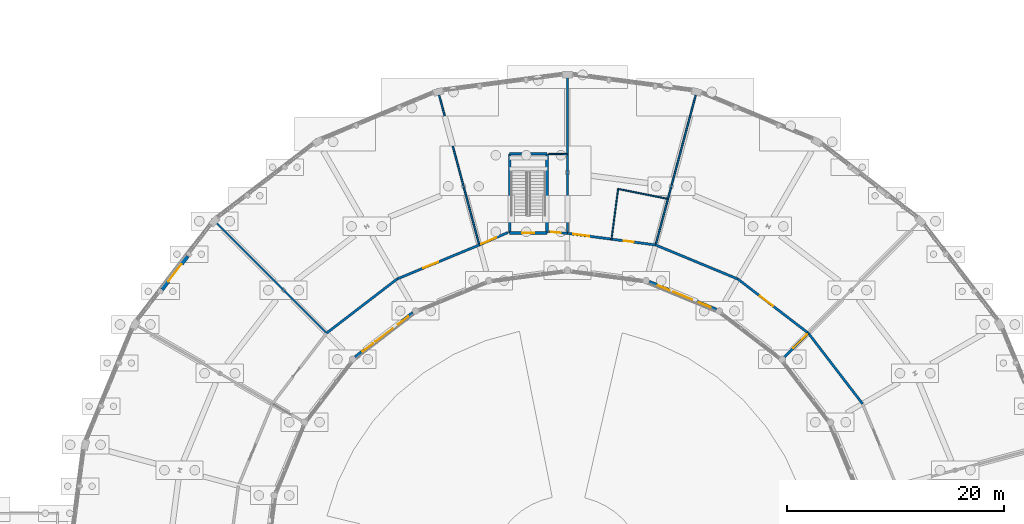
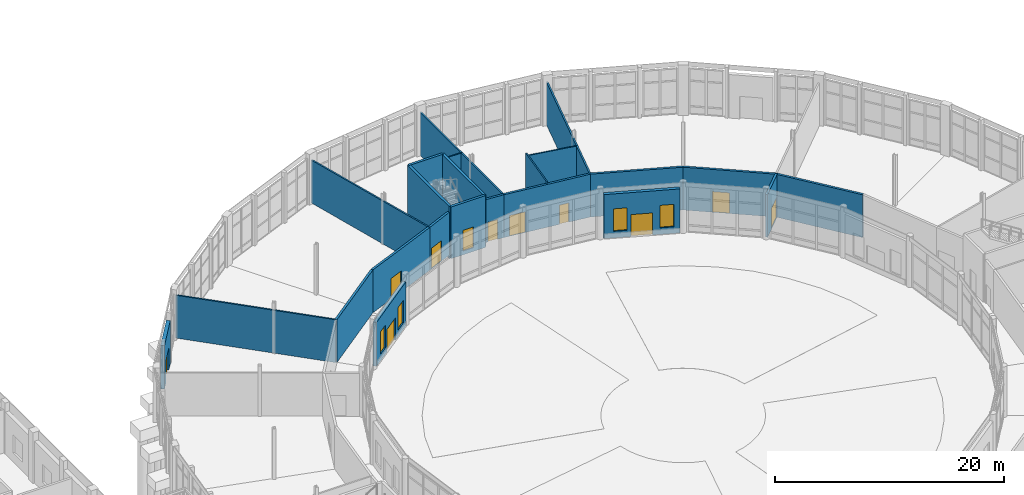
# One storey, part 109 of 137: 23 walls, 11 doors, 4 windows, 15 openings.
"""IFC4 building model written with IfcOpenShell, lengths in metres."""

from ifc_helpers import new_model, si_unit, direction, frame, frame_2d, origin, place, context, subcontext, project, spatial, rectangle, extrude, material, layer, layer_set, type_object, element, fill, save


model = new_model("IFC4")

# Units and contexts
model_context = context("Model", 3, precision=1e-05, world=origin(), true_north=direction((0.0, 1.0)))
body_context = subcontext(model_context, "Body", "Model", "MODEL_VIEW")
ifc_project = project(units=[si_unit("LENGTHUNIT", "METRE"), si_unit("AREAUNIT", "SQUARE_METRE"), si_unit("VOLUMEUNIT", "CUBIC_METRE"), si_unit("PLANEANGLEUNIT", "RADIAN"), si_unit("MASSUNIT", "GRAM", prefix="KILO")], contexts=[model_context])

# Site, building, storey
site_placement = place(None, origin())
site = spatial("IfcSite", under=ifc_project, at=site_placement, CompositionType="ELEMENT")
building_placement = place(site_placement, origin())
building = spatial("IfcBuilding", under=site, at=building_placement, Name="Vondelvale Polytechnic", CompositionType="ELEMENT")
storey_placement = place(building_placement, origin())
storey = spatial("IfcBuildingStorey", under=building, at=storey_placement, Name="L00", CompositionType="ELEMENT", Elevation=0.0)

# Wall, openings, door, windows
ifc_material_1 = material(Name="Amsterdam School iron-spot clinker clay brickwork", Category="masonry")
ifc_layer_1 = layer(ifc_material_1, 0.320068359375)
ifc_layer_set_1 = layer_set([ifc_layer_1], Name="WL-BRICK-320")
wall_type_1 = type_object("IfcWallType", Name="WL-BRICK-320", PredefinedType="SOLIDWALL", material=ifc_layer_set_1)
wall_1_placement = place(storey_placement, frame((115.721923828125, 96.364013671875, 0.0), z_axis=(0.0, 0.0, 1.0), x_axis=(-0.923892180018, 0.382652897157, 0.0)))
wall_1 = element("IfcWall", 1, at=wall_1_placement, inside=storey, type_object=wall_type_1, Name="L00 exterior masonry facade wall", PredefinedType="SOLIDWALL", context=body_context, shape_type="SweptSolid", body=[
    extrude(rectangle(XDim=6.70751953125, YDim=0.320068359375, at=frame_2d((3.353759765625, 0.0))), origin(), (0.0, 0.0, 1.0), 4.694091796875),
])
opening_1_placement = place(wall_1_placement, frame((2.40380859375, 0.0, 0.0)))
opening_1 = element("IfcOpeningElement", 2, at=opening_1_placement, cuts=wall_1, Name="Opening ED-027", PredefinedType="OPENING", context=body_context, shape_type="SweptSolid", body=[
    extrude(rectangle(XDim=1.89990234375, YDim=2.35009765625, at=frame_2d((0.949951171875, 1.175048828125))), frame((0.0, 0.169921875, 0.0), z_axis=(0.0, -1.0, 0.0), x_axis=(1.0, 0.0, 0.0)), (0.0, 0.0, 1.0), 0.340087890625),
])
opening_2_placement = place(wall_1_placement, frame((0.550048828125, 0.0, 0.699951171875)))
opening_2 = element("IfcOpeningElement", 3, at=opening_2_placement, cuts=wall_1, Name="Opening WN-0448", PredefinedType="OPENING", context=body_context, shape_type="SweptSolid", body=[
    extrude(rectangle(XDim=1.199951171875, YDim=2.39990234375, at=frame_2d((0.60009765625, 1.199951171875))), frame((0.0, 0.169921875, 0.0), z_axis=(0.0, -1.0, 0.0), x_axis=(1.0, 0.0, 0.0)), (0.0, 0.0, 1.0), 0.340087890625),
])
opening_3_placement = place(wall_1_placement, frame((4.64990234375, 0.0, 0.699951171875)))
opening_3 = element("IfcOpeningElement", 4, at=opening_3_placement, cuts=wall_1, Name="Opening WN-0449", PredefinedType="OPENING", context=body_context, shape_type="SweptSolid", body=[
    extrude(rectangle(XDim=1.199951171875, YDim=2.39990234375, at=frame_2d((0.60009765625, 1.199951171875))), frame((0.0, 0.169921875, 0.0), z_axis=(0.0, -1.0, 0.0), x_axis=(1.0, 0.0, 0.0)), (0.0, 0.0, 1.0), 0.340087890625),
])
ifc_material_2 = material(Name="Anodised extruded aluminium 6063-T6", Category="aluminium")
door_type_1 = type_object("IfcDoorType", Name="DR-EXT-1900x2350", OperationType="DOUBLE_DOOR_SINGLE_SWING", PredefinedType="DOOR", material=ifc_material_2)
door_1_placement = place(opening_1_placement, origin())
door_1 = element("IfcDoor", 5, at=door_1_placement, inside=storey, type_object=door_type_1, Name="L00 exterior entrance/exit door ED-027", OperationType="DOUBLE_DOOR_SINGLE_SWING", OverallHeight=2.35009765625, OverallWidth=1.89990234375, PredefinedType="DOOR", context=body_context, shape_type="SweptSolid", body=[
    extrude(rectangle(XDim=1.89990234375, YDim=2.35009765625, at=frame_2d((0.949951171875, 1.175048828125))), frame((0.0, 0.02490234375, 0.0), z_axis=(0.0, -1.0, 0.0), x_axis=(1.0, 0.0, 0.0)), (0.0, 0.0, 1.0), 0.050048828125),
])
fill(opening_1, door_1)
ifc_material_3 = material(Name="Double-glazed low-E insulated architectural glass", Category="glass")
window_type = type_object("IfcWindowType", Name="WN-ARCH-1200x2400", PartitioningType="SINGLE_PANEL", PredefinedType="WINDOW", material=ifc_material_3)
window_1_placement = place(opening_2_placement, origin())
window_1 = element("IfcWindow", 6, at=window_1_placement, inside=storey, type_object=window_type, Name="L00 double-glazed architectural window WN-0448", OverallHeight=2.39990234375, OverallWidth=1.199951171875, PartitioningType="SINGLE_PANEL", PredefinedType="WINDOW", context=body_context, shape_type="SweptSolid", body=[
    extrude(rectangle(XDim=1.199951171875, YDim=2.39990234375, at=frame_2d((0.60009765625, 1.199951171875))), frame((0.0, 0.030029296875, 0.0), z_axis=(0.0, -1.0, 0.0), x_axis=(1.0, 0.0, 0.0)), (0.0, 0.0, 1.0), 0.06005859375),
])
fill(opening_2, window_1)
window_2_placement = place(opening_3_placement, origin())
window_2 = element("IfcWindow", 7, at=window_2_placement, inside=storey, type_object=window_type, Name="L00 double-glazed architectural window WN-0449", OverallHeight=2.39990234375, OverallWidth=1.199951171875, PartitioningType="SINGLE_PANEL", PredefinedType="WINDOW", context=body_context, shape_type="SweptSolid", body=[
    extrude(rectangle(XDim=1.199951171875, YDim=2.39990234375, at=frame_2d((0.60009765625, 1.199951171875))), frame((0.0, 0.030029296875, 0.0), z_axis=(0.0, -1.0, 0.0), x_axis=(1.0, 0.0, 0.0)), (0.0, 0.0, 1.0), 0.06005859375),
])
fill(opening_3, window_2)

wall_2_placement = place(storey_placement, frame((87.76220703125, 96.066162109375, 0.0), z_axis=(0.0, 0.0, 1.0), x_axis=(-0.793363268085, -0.608748490637, 0.0)))
wall_2 = element("IfcWall", 8, at=wall_2_placement, inside=storey, type_object=wall_type_1, Name="L00 exterior masonry facade wall", PredefinedType="SOLIDWALL", context=body_context, shape_type="SweptSolid", body=[
    extrude(rectangle(XDim=6.7099609375, YDim=0.320068359375, at=frame_2d((3.35498046875, 0.0))), origin(), (0.0, 0.0, 1.0), 4.694091796875),
])
opening_4_placement = place(wall_2_placement, frame((2.35498046875, 0.0, 0.0)))
opening_4 = element("IfcOpeningElement", 9, at=opening_4_placement, cuts=wall_2, Name="Opening ED-028", PredefinedType="OPENING", context=body_context, shape_type="SweptSolid", body=[
    extrude(rectangle(XDim=2.0, YDim=2.39990234375, at=frame_2d((1.0, 1.199951171875))), frame((0.0, 0.169921875, 0.0), z_axis=(0.0, -1.0, 0.0), x_axis=(1.0, 0.0, 0.0)), (0.0, 0.0, 1.0), 0.340087890625),
])
opening_5_placement = place(wall_2_placement, frame((0.550048828125, 0.0, 0.699951171875)))
opening_5 = element("IfcOpeningElement", 10, at=opening_5_placement, cuts=wall_2, Name="Opening WN-0450", PredefinedType="OPENING", context=body_context, shape_type="SweptSolid", body=[
    extrude(rectangle(XDim=1.199951171875, YDim=2.39990234375, at=frame_2d((0.60009765625, 1.199951171875))), frame((0.0, 0.169921875, 0.0), z_axis=(0.0, -1.0, 0.0), x_axis=(1.0, 0.0, 0.0)), (0.0, 0.0, 1.0), 0.340087890625),
])
opening_6_placement = place(wall_2_placement, frame((4.64990234375, 0.0, 0.699951171875)))
opening_6 = element("IfcOpeningElement", 11, at=opening_6_placement, cuts=wall_2, Name="Opening WN-0451", PredefinedType="OPENING", context=body_context, shape_type="SweptSolid", body=[
    extrude(rectangle(XDim=1.199951171875, YDim=2.39990234375, at=frame_2d((0.60009765625, 1.199951171875))), frame((0.0, 0.169921875, 0.0), z_axis=(0.0, -1.0, 0.0), x_axis=(1.0, 0.0, 0.0)), (0.0, 0.0, 1.0), 0.340087890625),
])
door_type_2 = type_object("IfcDoorType", Name="DR-EXT-2000x2400", OperationType="DOUBLE_DOOR_SINGLE_SWING", PredefinedType="DOOR", material=ifc_material_2)
door_2_placement = place(opening_4_placement, origin())
door_2 = element("IfcDoor", 12, at=door_2_placement, inside=storey, type_object=door_type_2, Name="L00 exterior entrance/exit door ED-028", OperationType="DOUBLE_DOOR_SINGLE_SWING", OverallHeight=2.39990234375, OverallWidth=2.0, PredefinedType="DOOR", context=body_context, shape_type="SweptSolid", body=[
    extrude(rectangle(XDim=2.0, YDim=2.39990234375, at=frame_2d((1.0, 1.199951171875))), frame((0.0, 0.02490234375, 0.0), z_axis=(0.0, -1.0, 0.0), x_axis=(1.0, 0.0, 0.0)), (0.0, 0.0, 1.0), 0.050048828125),
])
fill(opening_4, door_2)
window_3_placement = place(opening_5_placement, origin())
window_3 = element("IfcWindow", 13, at=window_3_placement, inside=storey, type_object=window_type, Name="L00 double-glazed architectural window WN-0450", OverallHeight=2.39990234375, OverallWidth=1.199951171875, PartitioningType="SINGLE_PANEL", PredefinedType="WINDOW", context=body_context, shape_type="SweptSolid", body=[
    extrude(rectangle(XDim=1.199951171875, YDim=2.39990234375, at=frame_2d((0.60009765625, 1.199951171875))), frame((0.0, 0.030029296875, 0.0), z_axis=(0.0, -1.0, 0.0), x_axis=(1.0, 0.0, 0.0)), (0.0, 0.0, 1.0), 0.06005859375),
])
fill(opening_5, window_3)
window_4_placement = place(opening_6_placement, origin())
window_4 = element("IfcWindow", 14, at=window_4_placement, inside=storey, type_object=window_type, Name="L00 double-glazed architectural window WN-0451", OverallHeight=2.39990234375, OverallWidth=1.199951171875, PartitioningType="SINGLE_PANEL", PredefinedType="WINDOW", context=body_context, shape_type="SweptSolid", body=[
    extrude(rectangle(XDim=1.199951171875, YDim=2.39990234375, at=frame_2d((0.60009765625, 1.199951171875))), frame((0.0, 0.030029296875, 0.0), z_axis=(0.0, -1.0, 0.0), x_axis=(1.0, 0.0, 0.0)), (0.0, 0.0, 1.0), 0.06005859375),
])
fill(opening_6, window_4)

# Wall, opening, door
ifc_layer_2 = layer(ifc_material_1, 0.35009765625)
ifc_layer_set_2 = layer_set([ifc_layer_2], Name="WL-BRICK-350")
wall_type_2 = type_object("IfcWallType", Name="WL-BRICK-350", PredefinedType="SOLIDWALL", material=ifc_layer_set_2)
wall_3_placement = place(storey_placement, frame((64.6396484375, 98.227783203125, 0.0), z_axis=(0.0, 0.0, 1.0), x_axis=(0.608722784878, 0.79338299148, 0.0)))
wall_3 = element("IfcWall", 15, at=wall_3_placement, inside=storey, type_object=wall_type_2, Name="L00 exterior masonry facade wall", PredefinedType="SOLIDWALL", context=body_context, shape_type="SweptSolid", body=[
    extrude(rectangle(XDim=3.87109375, YDim=0.35009765625, at=frame_2d((1.935546875, 0.0))), origin(), (0.0, 0.0, 1.0), 4.64306640625),
])
opening_7_placement = place(wall_3_placement, frame((0.935546875, 0.0, 0.0)))
opening_7 = element("IfcOpeningElement", 16, at=opening_7_placement, cuts=wall_3, Name="Opening ED-029", PredefinedType="OPENING", context=body_context, shape_type="SweptSolid", body=[
    extrude(rectangle(XDim=2.0, YDim=2.39990234375, at=frame_2d((1.0, 1.199951171875))), frame((0.0, 0.18505859375, 0.0), z_axis=(0.0, -1.0, 0.0), x_axis=(1.0, 0.0, 0.0)), (0.0, 0.0, 1.0), 0.3701171875),
])
door_3_placement = place(opening_7_placement, origin())
door_3 = element("IfcDoor", 17, at=door_3_placement, inside=storey, type_object=door_type_2, Name="L00 exterior entrance/exit door ED-029", OperationType="DOUBLE_DOOR_SINGLE_SWING", OverallHeight=2.39990234375, OverallWidth=2.0, PredefinedType="DOOR", context=body_context, shape_type="SweptSolid", body=[
    extrude(rectangle(XDim=2.0, YDim=2.39990234375, at=frame_2d((1.0, 1.199951171875))), frame((0.0, 0.02490234375, 0.0), z_axis=(0.0, -1.0, 0.0), x_axis=(1.0, 0.0, 0.0)), (0.0, 0.0, 1.0), 0.050048828125),
])
fill(opening_7, door_3)

# Walls
ifc_material_4 = material(Name="Concrete N40 (f'c = 40 MPa)", Category="concrete")
ifc_layer_3 = layer(ifc_material_4, 0.25)
ifc_layer_set_3 = layer_set([ifc_layer_3], Name="WL-CORE-250")
wall_type_3 = type_object("IfcWallType", Name="WL-CORE-250", PredefinedType="SOLIDWALL", material=ifc_layer_set_3)
wall_4_placement = place(storey_placement, frame((100.125, 103.425048828125, -0.39990234375), z_axis=(0.0, 0.0, 1.0), x_axis=(0.0, 1.0, 0.0)))
element("IfcWall", 18, at=wall_4_placement, inside=storey, type_object=wall_type_3, Name="L00 ST-09 reinforced concrete stair core wall", PredefinedType="SOLIDWALL", context=body_context, shape_type="SweptSolid", body=[
    extrude(rectangle(XDim=7.300048828125, YDim=0.25, at=frame_2d((3.64990234375, 0.0))), origin(), (0.0, 0.0, 1.0), 5.52001953125),
])
wall_5_placement = place(storey_placement, frame((100.125, 110.72509765625, -0.39990234375), z_axis=(0.0, 0.0, 1.0), x_axis=(-1.0, 0.0, 0.0)))
element("IfcWall", 19, at=wall_5_placement, inside=storey, type_object=wall_type_3, Name="L00 ST-09 reinforced concrete stair core wall", PredefinedType="SOLIDWALL", context=body_context, shape_type="SweptSolid", body=[
    extrude(rectangle(XDim=3.449951171875, YDim=0.25, at=frame_2d((1.72509765625, 0.0))), origin(), (0.0, 0.0, 1.0), 5.52001953125),
])
wall_6_placement = place(storey_placement, frame((96.675048828125, 110.72509765625, -0.39990234375), z_axis=(0.0, 0.0, 1.0), x_axis=(0.0, -1.0, 0.0)))
element("IfcWall", 20, at=wall_6_placement, inside=storey, type_object=wall_type_3, Name="L00 ST-09 reinforced concrete stair core wall", PredefinedType="SOLIDWALL", context=body_context, shape_type="SweptSolid", body=[
    extrude(rectangle(XDim=7.300048828125, YDim=0.25, at=frame_2d((3.64990234375, 0.0))), origin(), (0.0, 0.0, 1.0), 5.52001953125),
])

# Wall, opening, door
wall_7_placement = place(storey_placement, frame((100.125, 103.425048828125, -0.39990234375), z_axis=(0.0, 0.0, 1.0), x_axis=(-1.0, 0.0, 0.0)))
wall_7 = element("IfcWall", 21, at=wall_7_placement, inside=storey, type_object=wall_type_3, Name="L00 ST-09 reinforced concrete stair core wall", PredefinedType="SOLIDWALL", context=body_context, shape_type="SweptSolid", body=[
    extrude(rectangle(XDim=3.449951171875, YDim=0.25, at=frame_2d((1.72509765625, 0.0))), origin(), (0.0, 0.0, 1.0), 5.52001953125),
])
opening_8_placement = place(wall_7_placement, frame((1.175048828125, 0.0, 0.39990234375)))
opening_8 = element("IfcOpeningElement", 22, at=opening_8_placement, cuts=wall_7, Name="Opening SD-048", PredefinedType="OPENING", context=body_context, shape_type="SweptSolid", body=[
    extrude(rectangle(XDim=1.10009765625, YDim=2.199951171875, at=frame_2d((0.550048828125, 1.10009765625))), frame((0.0, 0.135009765625, 0.0), z_axis=(0.0, -1.0, 0.0), x_axis=(1.0, 0.0, 0.0)), (0.0, 0.0, 1.0), 0.27001953125),
])
ifc_material_5 = material(Name="Brushed architectural stainless and zinc-coated metal")
door_type_3 = type_object("IfcDoorType", Name="DR-STAIR-1100x2200", OperationType="SINGLE_SWING_LEFT", PredefinedType="DOOR", material=ifc_material_5)
door_4_placement = place(opening_8_placement, origin())
door_4 = element("IfcDoor", 23, at=door_4_placement, inside=storey, type_object=door_type_3, Name="L00 ST-09 fire-isolated stair door", OperationType="SINGLE_SWING_RIGHT", OverallHeight=2.199951171875, OverallWidth=1.10009765625, PredefinedType="DOOR", context=body_context, shape_type="SweptSolid", body=[
    extrude(rectangle(XDim=1.10009765625, YDim=2.199951171875, at=frame_2d((0.550048828125, 1.10009765625))), frame((0.0, 0.02490234375, 0.0), z_axis=(0.0, -1.0, 0.0), x_axis=(1.0, 0.0, 0.0)), (0.0, 0.0, 1.0), 0.050048828125),
])
fill(opening_8, door_4)

ifc_material_6 = material(Name="Fire-rated double-layer plasterboard stud partition")
ifc_layer_4 = layer(ifc_material_6, 0.219970703125)
ifc_layer_set_4 = layer_set([ifc_layer_4], Name="WL-CORR-220")
wall_type_4 = type_object("IfcWallType", Name="WL-CORR-220", PredefinedType="PARTITIONING", material=ifc_layer_set_4)
wall_8_placement = place(storey_placement, frame((121.8837890625, 91.8837890625, 0.0), z_axis=(0.0, 0.0, 1.0), x_axis=(0.707106781187, 0.707106781187, 0.0)))
wall_8 = element("IfcWall", 24, at=wall_8_placement, inside=storey, type_object=wall_type_4, Name="L00 interior acoustic partition", PredefinedType="PARTITIONING", context=body_context, shape_type="SweptSolid", body=[
    extrude(rectangle(XDim=3.280029296875, YDim=0.219970703125, at=frame_2d((1.64013671875, 0.0))), origin(), (0.0, 0.0, 1.0), 4.56689453125),
])
opening_9_placement = place(wall_8_placement, frame((1.320068359375, 0.0, 0.0)))
opening_9 = element("IfcOpeningElement", 25, at=opening_9_placement, cuts=wall_8, Name="Opening ID-0272", PredefinedType="OPENING", context=body_context, shape_type="SweptSolid", body=[
    extrude(rectangle(XDim=1.800048828125, YDim=2.199951171875, at=frame_2d((0.89990234375, 1.10009765625))), frame((0.0, 0.119873046875, 0.0), z_axis=(0.0, -1.0, 0.0), x_axis=(1.0, 0.0, 0.0)), (0.0, 0.0, 1.0), 0.239990234375),
])
ifc_material_7 = material(Name="Engineered Tasmanian oak studio and bridge joinery")
door_type_4 = type_object("IfcDoorType", Name="DR-COR-1800x2200", OperationType="DOUBLE_DOOR_SINGLE_SWING", PredefinedType="DOOR", material=ifc_material_7)
door_5_placement = place(opening_9_placement, origin())
door_5 = element("IfcDoor", 26, at=door_5_placement, inside=storey, type_object=door_type_4, Name="L00 interior room door ID-0272", OperationType="DOUBLE_DOOR_SINGLE_SWING", OverallHeight=2.199951171875, OverallWidth=1.800048828125, PredefinedType="DOOR", context=body_context, shape_type="SweptSolid", body=[
    extrude(rectangle(XDim=1.800048828125, YDim=2.199951171875, at=frame_2d((0.89990234375, 1.10009765625))), frame((0.0, 0.02490234375, 0.0), z_axis=(0.0, -1.0, 0.0), x_axis=(1.0, 0.0, 0.0)), (0.0, 0.0, 1.0), 0.050048828125),
])
fill(opening_9, door_5)

# Wall, openings, doors
wall_9_placement = place(storey_placement, frame((110.126953125, 102.330078125, 0.0), z_axis=(0.0, 0.0, 1.0), x_axis=(-0.991446589332, 0.130513066404, 0.0)))
wall_9 = element("IfcWall", 27, at=wall_9_placement, inside=storey, type_object=wall_type_4, Name="L00 interior acoustic partition", PredefinedType="PARTITIONING", context=body_context, shape_type="SweptSolid", body=[
    extrude(rectangle(XDim=8.197021484375, YDim=0.219970703125, at=frame_2d((4.0986328125, 0.0))), origin(), (0.0, 0.0, 1.0), 4.56689453125),
])
opening_10_placement = place(wall_9_placement, frame((2.050048828125, 0.0, 0.0)))
opening_10 = element("IfcOpeningElement", 28, at=opening_10_placement, cuts=wall_9, Name="Opening ID-0274", PredefinedType="OPENING", context=body_context, shape_type="SweptSolid", body=[
    extrude(rectangle(XDim=0.89990234375, YDim=2.050048828125, at=frame_2d((0.449951171875, 1.02490234375))), frame((0.0, 0.119873046875, 0.0), z_axis=(0.0, -1.0, 0.0), x_axis=(1.0, 0.0, 0.0)), (0.0, 0.0, 1.0), 0.239990234375),
])
opening_11_placement = place(wall_9_placement, frame((6.14990234375, 0.0, 0.0)))
opening_11 = element("IfcOpeningElement", 29, at=opening_11_placement, cuts=wall_9, Name="Opening ID-0275", PredefinedType="OPENING", context=body_context, shape_type="SweptSolid", body=[
    extrude(rectangle(XDim=1.5, YDim=2.199951171875, at=frame_2d((0.75, 1.10009765625))), frame((0.0, 0.119873046875, 0.0), z_axis=(0.0, -1.0, 0.0), x_axis=(1.0, 0.0, 0.0)), (0.0, 0.0, 1.0), 0.239990234375),
])
ifc_material_8 = material(Name="Fire-rated solid Tasmanian oak joinery")
door_type_5 = type_object("IfcDoorType", Name="DR-LAB-1500x2200", OperationType="DOUBLE_DOOR_SINGLE_SWING", PredefinedType="DOOR", material=ifc_material_8)
door_6_placement = place(opening_11_placement, origin())
door_6 = element("IfcDoor", 30, at=door_6_placement, inside=storey, type_object=door_type_5, Name="L00 interior room door ID-0275", OperationType="DOUBLE_DOOR_SINGLE_SWING", OverallHeight=2.199951171875, OverallWidth=1.5, PredefinedType="DOOR", context=body_context, shape_type="SweptSolid", body=[
    extrude(rectangle(XDim=1.5, YDim=2.199951171875, at=frame_2d((0.75, 1.10009765625))), frame((0.0, 0.02490234375, 0.0), z_axis=(0.0, -1.0, 0.0), x_axis=(1.0, 0.0, 0.0)), (0.0, 0.0, 1.0), 0.050048828125),
])
fill(opening_11, door_6)
door_type_6 = type_object("IfcDoorType", Name="DR-WC-0900x2050", OperationType="SINGLE_SWING_RIGHT", PredefinedType="DOOR", material=ifc_material_8)
door_7_placement = place(opening_10_placement, origin())
door_7 = element("IfcDoor", 31, at=door_7_placement, inside=storey, type_object=door_type_6, Name="L00 interior room door ID-0274", OperationType="SINGLE_SWING_RIGHT", OverallHeight=2.050048828125, OverallWidth=0.89990234375, PredefinedType="DOOR", context=body_context, shape_type="SweptSolid", body=[
    extrude(rectangle(XDim=0.89990234375, YDim=2.050048828125, at=frame_2d((0.449951171875, 1.02490234375))), frame((0.0, 0.02490234375, 0.0), z_axis=(0.0, -1.0, 0.0), x_axis=(1.0, 0.0, 0.0)), (0.0, 0.0, 1.0), 0.050048828125),
])
fill(opening_10, door_7)

# Wall, opening, door
wall_10_placement = place(storey_placement, frame((102.0, 103.39990234375, 0.0), z_axis=(0.0, 0.0, 1.0), x_axis=(-0.996807580938, 0.07984138391, 0.0)))
wall_10 = element("IfcWall", 32, at=wall_10_placement, inside=storey, type_object=wall_type_4, Name="L00 interior acoustic partition", PredefinedType="PARTITIONING", context=body_context, shape_type="SweptSolid", body=[
    extrude(rectangle(XDim=1.71533203125, YDim=0.219970703125, at=frame_2d((0.857666015625, 0.0))), origin(), (0.0, 0.0, 1.0), 4.56689453125),
])
opening_12_placement = place(wall_10_placement, frame((0.60546875, 0.0, 0.0)))
opening_12 = element("IfcOpeningElement", 33, at=opening_12_placement, cuts=wall_10, Name="Opening ID-0276", PredefinedType="OPENING", context=body_context, shape_type="SweptSolid", body=[
    extrude(rectangle(XDim=0.949951171875, YDim=2.10009765625, at=frame_2d((0.47509765625, 1.050048828125))), frame((0.0, 0.119873046875, 0.0), z_axis=(0.0, -1.0, 0.0), x_axis=(1.0, 0.0, 0.0)), (0.0, 0.0, 1.0), 0.239990234375),
])
door_type_7 = type_object("IfcDoorType", Name="DR-INT-0950x2100", OperationType="SINGLE_SWING_LEFT", PredefinedType="DOOR", material=ifc_material_8)
door_8_placement = place(opening_12_placement, origin())
door_8 = element("IfcDoor", 34, at=door_8_placement, inside=storey, type_object=door_type_7, Name="L00 interior room door ID-0276", OperationType="SINGLE_SWING_RIGHT", OverallHeight=2.10009765625, OverallWidth=0.949951171875, PredefinedType="DOOR", context=body_context, shape_type="SweptSolid", body=[
    extrude(rectangle(XDim=0.949951171875, YDim=2.10009765625, at=frame_2d((0.47509765625, 1.050048828125))), frame((0.0, 0.02490234375, 0.0), z_axis=(0.0, -1.0, 0.0), x_axis=(1.0, 0.0, 0.0)), (0.0, 0.0, 1.0), 0.050048828125),
])
fill(opening_12, door_8)

wall_11_placement = place(storey_placement, frame((96.510009765625, 103.478271484375, 0.0), z_axis=(0.0, 0.0, 1.0), x_axis=(-0.916855346374, -0.399219580964, 0.0)))
wall_11 = element("IfcWall", 35, at=wall_11_placement, inside=storey, type_object=wall_type_4, Name="L00 interior acoustic partition", PredefinedType="PARTITIONING", context=body_context, shape_type="SweptSolid", body=[
    extrude(rectangle(XDim=2.8759765625, YDim=0.219970703125, at=frame_2d((1.43798828125, 0.0))), origin(), (0.0, 0.0, 1.0), 4.56689453125),
])
opening_13_placement = place(wall_11_placement, frame((1.170166015625, 0.0, 0.0)))
opening_13 = element("IfcOpeningElement", 36, at=opening_13_placement, cuts=wall_11, Name="Opening ID-0277", PredefinedType="OPENING", context=body_context, shape_type="SweptSolid", body=[
    extrude(rectangle(XDim=1.5, YDim=2.199951171875, at=frame_2d((0.75, 1.10009765625))), frame((0.0, 0.119873046875, 0.0), z_axis=(0.0, -1.0, 0.0), x_axis=(1.0, 0.0, 0.0)), (0.0, 0.0, 1.0), 0.239990234375),
])
door_9_placement = place(opening_13_placement, origin())
door_9 = element("IfcDoor", 37, at=door_9_placement, inside=storey, type_object=door_type_5, Name="L00 interior room door ID-0277", OperationType="DOUBLE_DOOR_SINGLE_SWING", OverallHeight=2.199951171875, OverallWidth=1.5, PredefinedType="DOOR", context=body_context, shape_type="SweptSolid", body=[
    extrude(rectangle(XDim=1.5, YDim=2.199951171875, at=frame_2d((0.75, 1.10009765625))), frame((0.0, 0.02490234375, 0.0), z_axis=(0.0, -1.0, 0.0), x_axis=(1.0, 0.0, 0.0)), (0.0, 0.0, 1.0), 0.050048828125),
])
fill(opening_13, door_9)

# Wall
wall_12_placement = place(storey_placement, frame((129.193115234375, 87.699951171875, 0.0), z_axis=(0.0, 0.0, 1.0), x_axis=(-0.608756011694, 0.793357497113, 0.0)))
element("IfcWall", 38, at=wall_12_placement, inside=storey, type_object=wall_type_4, Name="L00 interior acoustic partition", PredefinedType="PARTITIONING", context=body_context, shape_type="SweptSolid", body=[
    extrude(rectangle(XDim=8.197021484375, YDim=0.219970703125, at=frame_2d((4.0986328125, 0.0))), origin(), (0.0, 0.0, 1.0), 4.56689453125),
])

# Wall, opening, door
wall_13_placement = place(storey_placement, frame((124.203125, 94.203125, 0.0), z_axis=(0.0, 0.0, 1.0), x_axis=(-0.793357497113, 0.608756011694, 0.0)))
wall_13 = element("IfcWall", 39, at=wall_13_placement, inside=storey, type_object=wall_type_4, Name="L00 interior acoustic partition", PredefinedType="PARTITIONING", context=body_context, shape_type="SweptSolid", body=[
    extrude(rectangle(XDim=8.197021484375, YDim=0.219970703125, at=frame_2d((4.0986328125, 0.0))), origin(), (0.0, 0.0, 1.0), 4.56689453125),
])
opening_14_placement = place(wall_13_placement, frame((4.10009765625, 0.0, 0.0)))
opening_14 = element("IfcOpeningElement", 40, at=opening_14_placement, cuts=wall_13, Name="Opening ID-0290", PredefinedType="OPENING", context=body_context, shape_type="SweptSolid", body=[
    extrude(rectangle(XDim=1.5, YDim=2.199951171875, at=frame_2d((0.75, 1.10009765625))), frame((0.0, 0.119873046875, 0.0), z_axis=(0.0, -1.0, 0.0), x_axis=(1.0, 0.0, 0.0)), (0.0, 0.0, 1.0), 0.239990234375),
])
door_10_placement = place(opening_14_placement, origin())
door_10 = element("IfcDoor", 41, at=door_10_placement, inside=storey, type_object=door_type_5, Name="L00 interior room door ID-0290", OperationType="DOUBLE_DOOR_SINGLE_SWING", OverallHeight=2.199951171875, OverallWidth=1.5, PredefinedType="DOOR", context=body_context, shape_type="SweptSolid", body=[
    extrude(rectangle(XDim=1.5, YDim=2.199951171875, at=frame_2d((0.75, 1.10009765625))), frame((0.0, 0.02490234375, 0.0), z_axis=(0.0, -1.0, 0.0), x_axis=(1.0, 0.0, 0.0)), (0.0, 0.0, 1.0), 0.050048828125),
])
fill(opening_14, door_10)

# Wall
wall_14_placement = place(storey_placement, frame((117.699951171875, 99.193115234375, 0.0), z_axis=(0.0, 0.0, 1.0), x_axis=(-0.923874167149, 0.382696385238, 0.0)))
element("IfcWall", 42, at=wall_14_placement, inside=storey, type_object=wall_type_4, Name="L00 interior acoustic partition", PredefinedType="PARTITIONING", context=body_context, shape_type="SweptSolid", body=[
    extrude(rectangle(XDim=8.197021484375, YDim=0.219970703125, at=frame_2d((4.0986328125, 0.0))), origin(), (0.0, 0.0, 1.0), 4.56689453125),
])

# Wall, opening, door
wall_15_placement = place(storey_placement, frame((93.873046875, 102.330078125, 0.0), z_axis=(0.0, 0.0, 1.0), x_axis=(-0.923874167149, -0.382696385238, 0.0)))
wall_15 = element("IfcWall", 43, at=wall_15_placement, inside=storey, type_object=wall_type_4, Name="L00 interior acoustic partition", PredefinedType="PARTITIONING", context=body_context, shape_type="SweptSolid", body=[
    extrude(rectangle(XDim=8.197021484375, YDim=0.219970703125, at=frame_2d((4.0986328125, 0.0))), origin(), (0.0, 0.0, 1.0), 4.56689453125),
])
opening_15_placement = place(wall_15_placement, frame((4.10009765625, 0.0, 0.0)))
opening_15 = element("IfcOpeningElement", 44, at=opening_15_placement, cuts=wall_15, Name="Opening ID-0291", PredefinedType="OPENING", context=body_context, shape_type="SweptSolid", body=[
    extrude(rectangle(XDim=1.5, YDim=2.199951171875, at=frame_2d((0.75, 1.10009765625))), frame((0.0, 0.119873046875, 0.0), z_axis=(0.0, -1.0, 0.0), x_axis=(1.0, 0.0, 0.0)), (0.0, 0.0, 1.0), 0.239990234375),
])
door_11_placement = place(opening_15_placement, origin())
door_11 = element("IfcDoor", 45, at=door_11_placement, inside=storey, type_object=door_type_5, Name="L00 interior room door ID-0291", OperationType="DOUBLE_DOOR_SINGLE_SWING", OverallHeight=2.199951171875, OverallWidth=1.5, PredefinedType="DOOR", context=body_context, shape_type="SweptSolid", body=[
    extrude(rectangle(XDim=1.5, YDim=2.199951171875, at=frame_2d((0.75, 1.10009765625))), frame((0.0, 0.02490234375, 0.0), z_axis=(0.0, -1.0, 0.0), x_axis=(1.0, 0.0, 0.0)), (0.0, 0.0, 1.0), 0.050048828125),
])
fill(opening_15, door_11)

# Walls
wall_16_placement = place(storey_placement, frame((86.300048828125, 99.193115234375, 0.0), z_axis=(0.0, 0.0, 1.0), x_axis=(-0.793357497113, -0.608756011694, 0.0)))
element("IfcWall", 46, at=wall_16_placement, inside=storey, type_object=wall_type_4, Name="L00 interior acoustic partition", PredefinedType="PARTITIONING", context=body_context, shape_type="SweptSolid", body=[
    extrude(rectangle(XDim=8.197021484375, YDim=0.219970703125, at=frame_2d((4.0986328125, 0.0))), origin(), (0.0, 0.0, 1.0), 4.56689453125),
])
ifc_layer_5 = layer(ifc_material_6, 0.1201171875)
ifc_layer_set_5 = layer_set([ifc_layer_5], Name="WL-INT-120")
wall_type_5 = type_object("IfcWallType", Name="WL-INT-120", PredefinedType="PARTITIONING", material=ifc_layer_set_5)
wall_17_placement = place(storey_placement, frame((106.0634765625, 102.864990234375, 0.0), z_axis=(0.0, 0.0, 1.0), x_axis=(0.130526207551, 0.991444859356, 0.0)))
element("IfcWall", 47, at=wall_17_placement, inside=storey, type_object=wall_type_5, Name="L00 interior acoustic partition", PredefinedType="PARTITIONING", context=body_context, shape_type="SweptSolid", body=[
    extrude(rectangle(XDim=4.668701171875, YDim=0.1201171875, at=frame_2d((2.33447265625, 0.0))), origin(), (0.0, 0.0, 1.0), 4.843994140625),
])
wall_18_placement = place(storey_placement, frame((111.265625, 106.580078125, 0.0), z_axis=(0.0, 0.0, 1.0), x_axis=(-0.980784676414, 0.195093358449, 0.0)))
element("IfcWall", 48, at=wall_18_placement, inside=storey, type_object=wall_type_5, Name="L00 interior acoustic partition", PredefinedType="PARTITIONING", context=body_context, shape_type="SweptSolid", body=[
    extrude(rectangle(XDim=4.682861328125, YDim=0.1201171875, at=frame_2d((2.34130859375, 0.0))), origin(), (0.0, 0.0, 1.0), 4.56689453125),
])
wall_19_placement = place(storey_placement, frame((100.2900390625, 110.722900390625, 0.0), z_axis=(0.0, 0.0, 1.0), x_axis=(0.999909951855, -0.013419693814, 0.0)))
element("IfcWall", 49, at=wall_19_placement, inside=storey, type_object=wall_type_5, Name="L00 interior acoustic partition", PredefinedType="PARTITIONING", context=body_context, shape_type="SweptSolid", body=[
    extrude(rectangle(XDim=1.710205078125, YDim=0.1201171875, at=frame_2d((0.85498046875, 0.0))), origin(), (0.0, 0.0, 1.0), 4.56689453125),
])
ifc_layer_6 = layer(ifc_material_6, 0.14990234375)
ifc_layer_set_6 = layer_set([ifc_layer_6], Name="WL-INT-150")
wall_type_6 = type_object("IfcWallType", Name="WL-INT-150", PredefinedType="PARTITIONING", material=ifc_layer_set_6)
for number, where, z_axis, x_axis, name in (
    (50, (110.126953125, 102.330078125, 0.0), (0.0, 0.0, 1.0), (0.258810530041, 0.965928107853, 0.0), "L00 interior acoustic partition"),
    (51, (102.0, 103.39990234375, 0.0), (0.0, 0.0, 1.0), (0.0, 1.0, 0.0), "L00 interior acoustic partition"),
    (52, (93.873046875, 102.330078125, 0.0), (0.0, 0.0, 1.0), (-0.258810530041, 0.965928107853, 0.0), "L00 interior acoustic partition"),
):
    element("IfcWall", number, at=place(storey_placement, frame(where, z_axis=z_axis, x_axis=x_axis)), inside=storey, type_object=wall_type_6, Name=name, PredefinedType="PARTITIONING", context=body_context, shape_type="SweptSolid", body=[
        extrude(rectangle(XDim=14.47998046875, YDim=0.14990234375, at=frame_2d((7.239990234375, 0.0))), origin(), (0.0, 0.0, 1.0), 4.56689453125),
    ])
wall_20_placement = place(storey_placement, frame((79.796875, 94.203125, 0.0), z_axis=(0.0, 0.0, 1.0), x_axis=(-0.707106781187, 0.707106781187, 0.0)))
element("IfcWall", 53, at=wall_20_placement, inside=storey, type_object=wall_type_6, Name="L00 interior acoustic partition", PredefinedType="PARTITIONING", context=body_context, shape_type="SweptSolid", body=[
    extrude(rectangle(XDim=14.480224609375, YDim=0.14990234375, at=frame_2d((7.240234375, 0.0))), origin(), (0.0, 0.0, 1.0), 4.56689453125),
])

save(model, "model.ifc")
